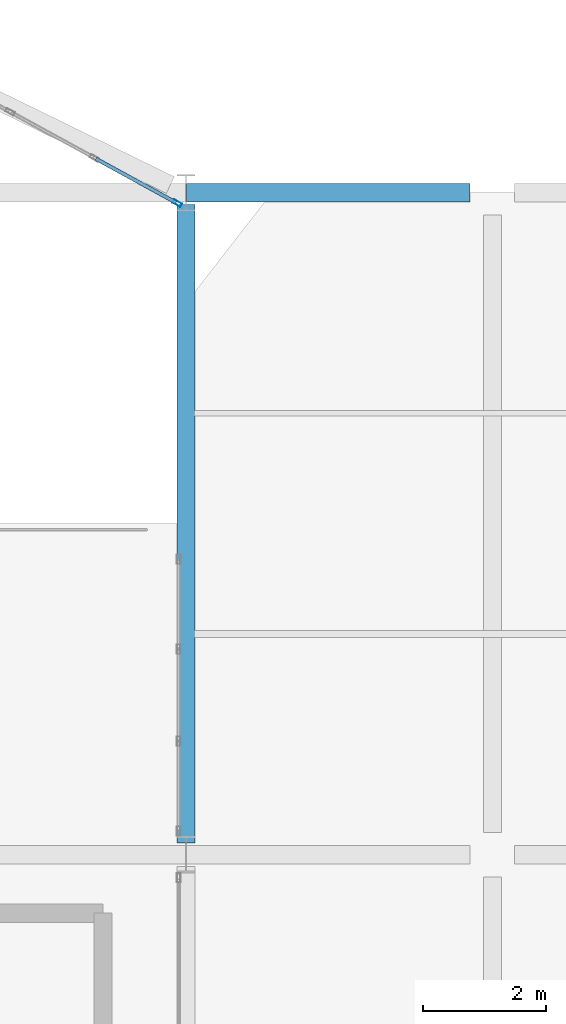
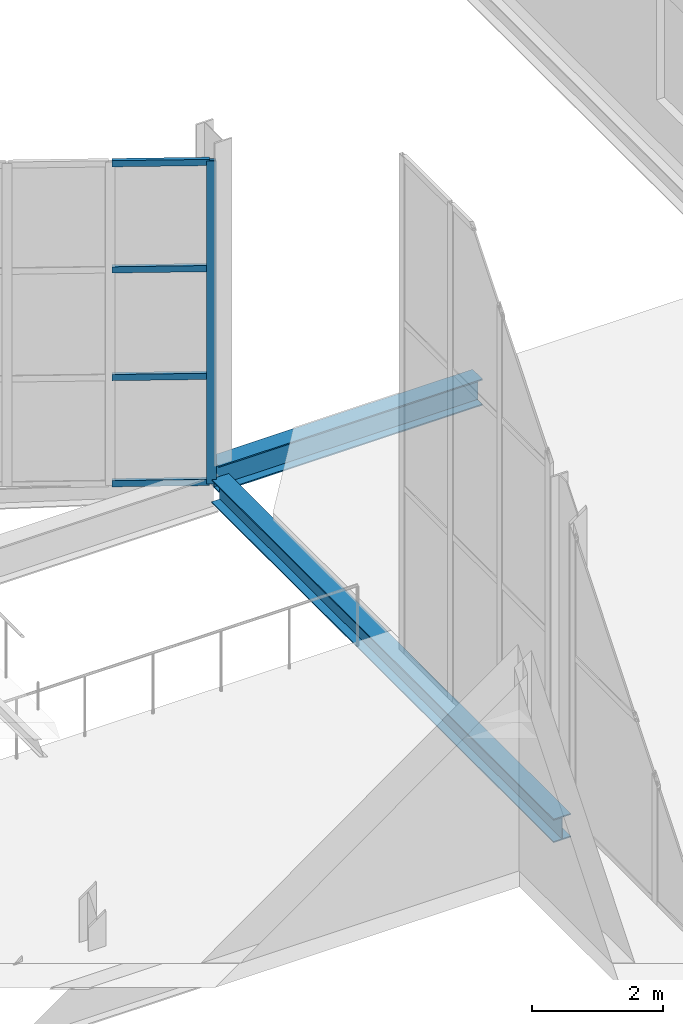
# One storey, part 125 of 191: 5 members, 2 beams, 1 element without a shape of its own.
"""IFC4 building model written with IfcOpenShell, lengths in metres."""

from ifc_helpers import new_model, si_unit, direction, frame, origin, origin_2d, place, context, subcontext, project, spatial, hollow_rectangle, i_section, extrude, material, layer, layer_set, material_profile, profile_set, type_object, element, aggregate, save


model = new_model("IFC4")

# Units and contexts
model_context = context("Model", 3, precision=1e-05, world=origin(), true_north=direction((0.0, 1.0)))
body_context = subcontext(model_context, "Body", "Model", "MODEL_VIEW")
ifc_project = project(units=[si_unit("LENGTHUNIT", "METRE"), si_unit("AREAUNIT", "SQUARE_METRE"), si_unit("VOLUMEUNIT", "CUBIC_METRE"), si_unit("PLANEANGLEUNIT", "RADIAN"), si_unit("MASSUNIT", "GRAM", prefix="KILO")], contexts=[model_context])

# Site, building, storey
site_placement = place(None, origin())
site = spatial("IfcSite", under=ifc_project, at=site_placement, CompositionType="ELEMENT")
building_placement = place(site_placement, origin())
building = spatial("IfcBuilding", under=site, at=building_placement, Name="Tamarisk Ironworks Central Station", CompositionType="ELEMENT")
storey_placement = place(building_placement, frame((0.0, 0.0, 6.60009765625)))
storey = spatial("IfcBuildingStorey", under=building, at=storey_placement, Name="L01", CompositionType="ELEMENT", Elevation=6.60009765625)

# Beams
ifc_material_1 = material(Name="Structural steel S355J2", Category="steel")
ifc_material_profile_1 = material_profile(ifc_material_1, i_section(OverallWidth=0.300048828125, OverallDepth=0.489990234375, WebThickness=0.011962890625, FlangeThickness=0.02294921875, at=origin_2d()), Name="HEA 500")
ifc_profile_set_1 = profile_set([ifc_material_profile_1], Name="Structural steel S355J2")
beam_type_1 = type_object("IfcBeamType", Name="BM-G05", PredefinedType="BEAM", material=ifc_profile_set_1)
beam_1_placement = place(storey_placement, frame((108.00390625, 111.60009765625, -0.385009765625), z_axis=(1.0, 0.0, 0.0), x_axis=(0.0, 1.0, 0.0)))
element("IfcBeam", 1, at=beam_1_placement, inside=storey, type_object=beam_type_1, Name="L01 primary girder X-0136", PredefinedType="BEAM", context=body_context, shape_type="SweptSolid", body=[
    extrude(i_section(OverallWidth=0.300048828125, OverallDepth=0.489990234375, WebThickness=0.011962890625, FlangeThickness=0.02294921875, at=origin_2d()), origin(), (0.0, 0.0, 1.0), 4.633056640625),
])
ifc_material_profile_2 = material_profile(ifc_material_1, i_section(OverallWidth=0.300048828125, OverallDepth=0.43994140625, WebThickness=0.011474609375, FlangeThickness=0.02099609375, at=origin_2d()), Name="HEA 450")
ifc_profile_set_2 = profile_set([ifc_material_profile_2], Name="Structural steel S355J2")
beam_type_2 = type_object("IfcBeamType", Name="BM-G06", PredefinedType="BEAM", material=ifc_profile_set_2)
beam_2_placement = place(storey_placement, frame((108.0, 100.991455078125, -0.52001953125), z_axis=(0.0, 1.0, 0.0), x_axis=(-1.0, 0.0, 0.0)))
element("IfcBeam", 2, at=beam_2_placement, inside=storey, type_object=beam_type_2, Name="L01 primary girder Y-0238", PredefinedType="BEAM", context=body_context, shape_type="SweptSolid", body=[
    extrude(i_section(OverallWidth=0.300048828125, OverallDepth=0.43994140625, WebThickness=0.011474609375, FlangeThickness=0.02099609375, at=origin_2d()), origin(), (0.0, 0.0, 1.0), 10.4169921875),
])

# Curtain wall, members
ifc_material_2 = material(Name="Anodized aluminium alloy 6063-T6", Category="aluminium")
ifc_layer = layer(ifc_material_2, 0.179931640625)
ifc_layer_set = layer_set([ifc_layer], Name="Anodized aluminium alloy 6063-T6")
curtain_wall_type = type_object("IfcCurtainWallType", Name="CW-02", PredefinedType="USERDEFINED", material=ifc_layer_set)
curtain_wall_placement = place(storey_placement, origin())
curtain_wall = element("IfcCurtainWall", 3, at=curtain_wall_placement, inside=storey, type_object=curtain_wall_type, Name="NN rounded entrance hall L01 curtain wall bay 12", ObjectType="GLAZED CURTAIN WALL", PredefinedType="USERDEFINED")
ifc_material_profile_3 = material_profile(ifc_material_2, hollow_rectangle(XDim=0.06005859375, YDim=0.14990234375, WallThickness=0.00341796875, at=origin_2d()), Name="ALUM 150x60")
ifc_profile_set_3 = profile_set([ifc_material_profile_3], Name="Anodized aluminium alloy 6063-T6")
member_type_1 = type_object("IfcMemberType", Name="CWM-03", PredefinedType="MULLION", material=ifc_profile_set_3)
member_1_placement = place(storey_placement, frame((107.85791015625, 111.42724609375, -0.385009765625), z_axis=(0.0, 0.0, 1.0), x_axis=(0.47980544644, 0.877374910495, 0.0)))
member_1 = element("IfcMember", 4, at=member_1_placement, type_object=member_type_1, Name="CW02 mullion 4", PredefinedType="MULLION", context=body_context, shape_type="SweptSolid", body=[
    extrude(hollow_rectangle(XDim=0.06005859375, YDim=0.14990234375, WallThickness=0.00341796875, at=origin_2d()), origin(), (0.0, 0.0, 1.0), 6.0048828125),
])
ifc_material_profile_4 = material_profile(ifc_material_2, hollow_rectangle(XDim=0.06005859375, YDim=0.114990234375, WallThickness=0.00341796875, at=origin_2d()), Name="ALUM 115x60")
ifc_profile_set_4 = profile_set([ifc_material_profile_4], Name="Anodized aluminium alloy 6063-T6")
member_type_2 = type_object("IfcMemberType", Name="CWT-03", PredefinedType="USERDEFINED", material=ifc_profile_set_4)
member_2_placement = place(storey_placement, frame((106.52978515625, 112.153564453125, -0.35498046875), z_axis=(0.877380853309, -0.479794579217, 0.0), x_axis=(0.479794579217, 0.877380853309, 0.0)))
member_2 = element("IfcMember", 5, at=member_2_placement, type_object=member_type_2, Name="CW02 transom 3.1", ObjectType="TRANSOM", PredefinedType="USERDEFINED", context=body_context, shape_type="SweptSolid", body=[
    extrude(hollow_rectangle(XDim=0.06005859375, YDim=0.114990234375, WallThickness=0.00341796875, at=origin_2d()), origin(), (0.0, 0.0, 1.0), 1.48779296875),
])
member_3_placement = place(storey_placement, frame((106.52978515625, 112.153564453125, 1.61669921875), z_axis=(0.877380853309, -0.479794579217, 0.0), x_axis=(0.479794579217, 0.877380853309, 0.0)))
member_3 = element("IfcMember", 6, at=member_3_placement, type_object=member_type_2, Name="CW02 transom 3.2", ObjectType="TRANSOM", PredefinedType="USERDEFINED", context=body_context, shape_type="SweptSolid", body=[
    extrude(hollow_rectangle(XDim=0.06005859375, YDim=0.114990234375, WallThickness=0.00341796875, at=origin_2d()), origin(), (0.0, 0.0, 1.0), 1.48779296875),
])
member_4_placement = place(storey_placement, frame((106.52978515625, 112.153564453125, 3.6181640625), z_axis=(0.877380853309, -0.479794579217, 0.0), x_axis=(0.479794579217, 0.877380853309, 0.0)))
member_4 = element("IfcMember", 7, at=member_4_placement, type_object=member_type_2, Name="CW02 transom 3.3", ObjectType="TRANSOM", PredefinedType="USERDEFINED", context=body_context, shape_type="SweptSolid", body=[
    extrude(hollow_rectangle(XDim=0.06005859375, YDim=0.114990234375, WallThickness=0.00341796875, at=origin_2d()), origin(), (0.0, 0.0, 1.0), 1.48779296875),
])
member_5_placement = place(storey_placement, frame((106.52978515625, 112.153564453125, 5.58984375), z_axis=(0.877380853309, -0.479794579217, 0.0), x_axis=(0.479794579217, 0.877380853309, 0.0)))
member_5 = element("IfcMember", 8, at=member_5_placement, type_object=member_type_2, Name="CW02 transom 3.4", ObjectType="TRANSOM", PredefinedType="USERDEFINED", context=body_context, shape_type="SweptSolid", body=[
    extrude(hollow_rectangle(XDim=0.06005859375, YDim=0.114990234375, WallThickness=0.00341796875, at=origin_2d()), origin(), (0.0, 0.0, 1.0), 1.48779296875),
])
aggregate(curtain_wall, [member_1, member_2, member_3, member_4, member_5])

save(model, "model.ifc")
